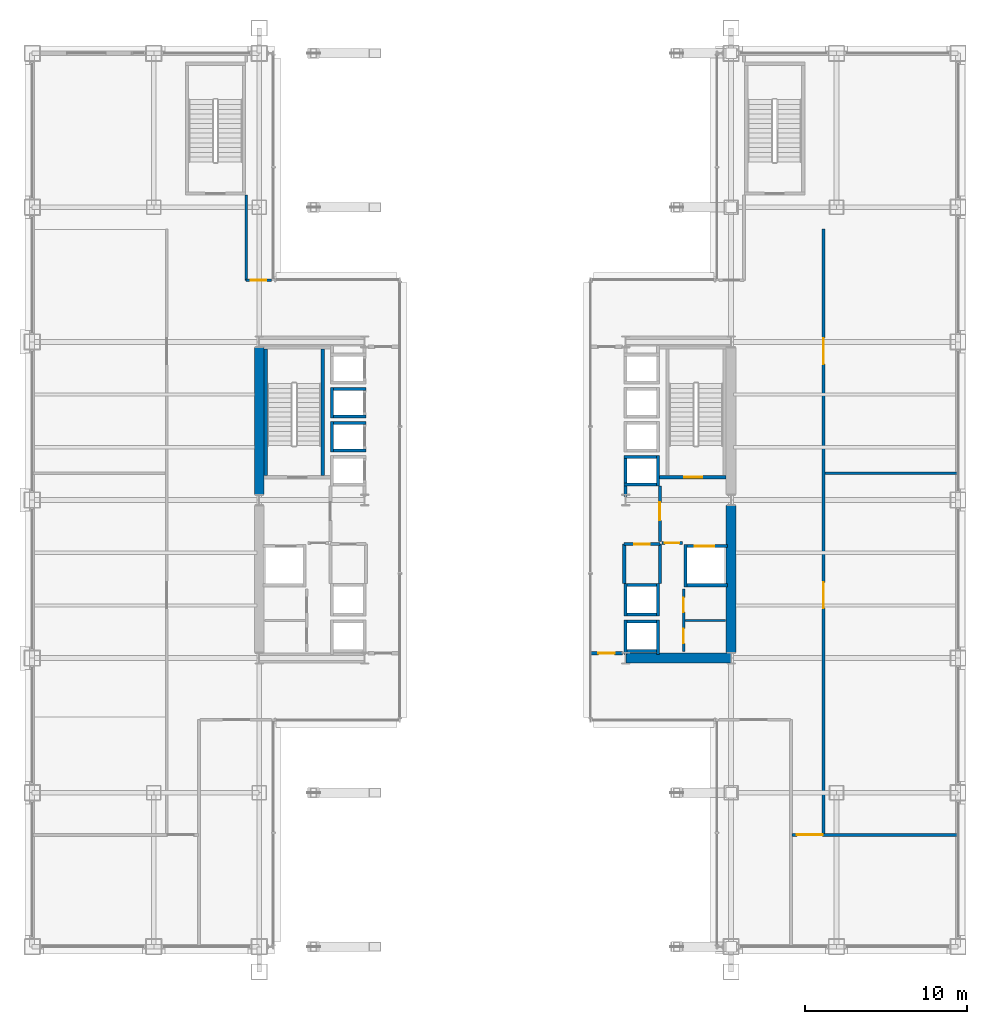
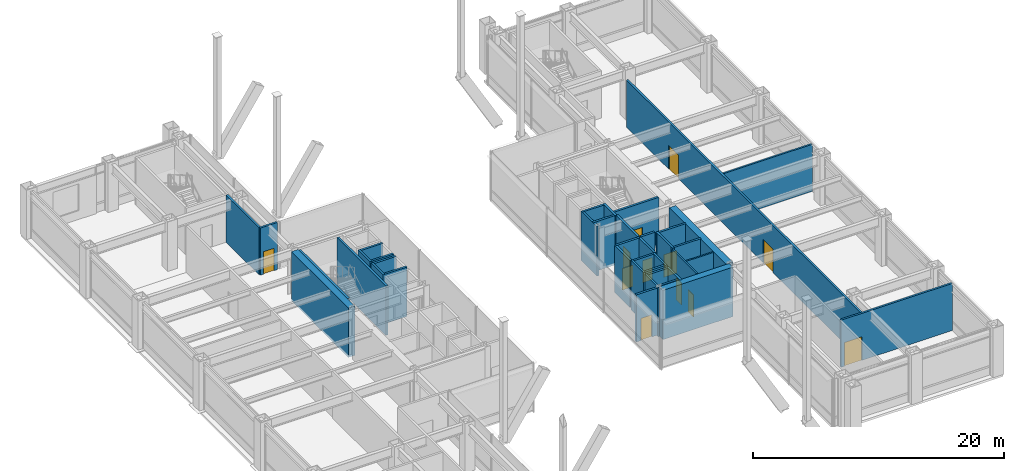
# One storey, part 36 of 40: 40 walls, 12 doors, 12 openings.
"""IFC4 building model written with IfcOpenShell, lengths in metres."""

from ifc_helpers import new_model, si_unit, direction, frame, frame_2d, origin, place, context, subcontext, project, spatial, rectangle, extrude, material, layer, layer_set, type_object, element, fill, save


model = new_model("IFC4")

# Units and contexts
model_context = context("Model", 3, precision=1e-05, world=origin(), true_north=direction((0.0, 1.0)))
body_context = subcontext(model_context, "Body", "Model", "MODEL_VIEW")
ifc_project = project(units=[si_unit("LENGTHUNIT", "METRE"), si_unit("AREAUNIT", "SQUARE_METRE"), si_unit("VOLUMEUNIT", "CUBIC_METRE"), si_unit("PLANEANGLEUNIT", "RADIAN"), si_unit("MASSUNIT", "GRAM", prefix="KILO")], contexts=[model_context])

# Site, building, storey
site_placement = place(None, origin())
site = spatial("IfcSite", under=ifc_project, at=site_placement, CompositionType="ELEMENT")
building_placement = place(site_placement, origin())
building = spatial("IfcBuilding", under=site, at=building_placement, Name="Brelmoor Portico Tower", CompositionType="ELEMENT")
storey_placement = place(building_placement, frame((0.0, 0.0, 4.800048828125)))
storey = spatial("IfcBuildingStorey", under=building, at=storey_placement, Name="L01", CompositionType="ELEMENT", Elevation=4.800048828125)

# Walls
ifc_material_1 = material(Name="Concrete C60", Category="concrete")
ifc_layer_1 = layer(ifc_material_1, 0.60009765625)
ifc_layer_set_1 = layer_set([ifc_layer_1], Name="Concrete C60")
wall_type_1 = type_object("IfcWallType", Name="WL-CORE-600", PredefinedType="SHEAR", material=ifc_layer_set_1)
wall_1_placement = place(storey_placement, frame((-14.550048828125, 0.35009765625, -0.219970703125), z_axis=(0.0, 0.0, 1.0), x_axis=(0.0, 1.0, 0.0)))
element("IfcWall", 1, at=wall_1_placement, inside=storey, type_object=wall_type_1, Name="L01 WC Outer North Shear Wall", PredefinedType="SHEAR", context=body_context, shape_type="SweptSolid", body=[
    extrude(rectangle(XDim=9.0498046875, YDim=0.60009765625, at=frame_2d((4.52490234375, 0.0))), origin(), (0.0, 0.0, 1.0), 4.7998046875),
])
wall_2_placement = place(storey_placement, frame((8.070068359375, -9.75, -0.219970703125), z_axis=(0.0, 0.0, 1.0), x_axis=(1.0, 0.0, 0.0)))
element("IfcWall", 2, at=wall_2_placement, inside=storey, type_object=wall_type_1, Name="L01 EC South Shear Wall", PredefinedType="SHEAR", context=body_context, shape_type="SweptSolid", body=[
    extrude(rectangle(XDim=6.4599609375, YDim=0.60009765625, at=frame_2d((3.22998046875, 0.0))), origin(), (0.0, 0.0, 1.0), 4.7998046875),
])
wall_3_placement = place(storey_placement, frame((14.550048828125, -9.39990234375, -0.219970703125), z_axis=(0.0, 0.0, 1.0), x_axis=(0.0, 1.0, 0.0)))
element("IfcWall", 3, at=wall_3_placement, inside=storey, type_object=wall_type_1, Name="L01 EC Outer South Shear Wall", PredefinedType="SHEAR", context=body_context, shape_type="SweptSolid", body=[
    extrude(rectangle(XDim=9.0498046875, YDim=0.60009765625, at=frame_2d((4.52490234375, 0.0))), origin(), (0.0, 0.0, 1.0), 4.7998046875),
])
ifc_material_2 = material(Name="Insulated Stud Suite Partition", Category="gypsum")
ifc_layer_2 = layer(ifc_material_2, 0.139892578125)
ifc_layer_set_2 = layer_set([ifc_layer_2], Name="Insulated Stud Suite Partition")
wall_type_2 = type_object("IfcWallType", Name="WL-PART-140", PredefinedType="PARTITIONING", material=ifc_layer_set_2)
wall_4_placement = place(storey_placement, frame((11.699951171875, -7.425048828125, 0.0), z_axis=(0.0, 0.0, 1.0), x_axis=(1.0, 0.0, 0.0)))
element("IfcWall", 4, at=wall_4_placement, inside=storey, type_object=wall_type_2, Name="L01 E Core WC Divider 1", PredefinedType="PARTITIONING", context=body_context, shape_type="SweptSolid", body=[
    extrude(rectangle(XDim=2.5, YDim=0.139892578125, at=frame_2d((1.25, 0.0))), origin(), (0.0, 0.0, 1.0), 4.579833984375),
])

# Wall, openings, doors
ifc_material_3 = material(Name="Twin-Frame Acoustic Partition", Category="gypsum")
ifc_layer_3 = layer(ifc_material_3, 0.159912109375)
ifc_layer_set_3 = layer_set([ifc_layer_3], Name="Twin-Frame Acoustic Partition")
wall_type_3 = type_object("IfcWallType", Name="WL-PART-160", PredefinedType="PARTITIONING", material=ifc_layer_set_3)
wall_5_placement = place(storey_placement, frame((11.6201171875, -9.35009765625, 0.0), z_axis=(0.0, 0.0, 1.0), x_axis=(0.0, 1.0, 0.0)))
wall_5 = element("IfcWall", 5, at=wall_5_placement, inside=storey, type_object=wall_type_3, Name="L01 E Core Service Front Wall", PredefinedType="PARTITIONING", context=body_context, shape_type="SweptSolid", body=[
    extrude(rectangle(XDim=3.85009765625, YDim=0.159912109375, at=frame_2d((1.925048828125, 0.0))), origin(), (0.0, 0.0, 1.0), 4.579833984375),
])
opening_1_placement = place(wall_5_placement, frame((0.512451171875, 0.0, 0.0)))
opening_1 = element("IfcOpeningElement", 6, at=opening_1_placement, cuts=wall_5, Name="Opening D-IN1", PredefinedType="OPENING", context=body_context, shape_type="SweptSolid", body=[
    extrude(rectangle(XDim=0.89990234375, YDim=2.14990234375, at=frame_2d((0.449951171875, 1.074951171875))), frame((0.0, 0.08984375, 0.0), z_axis=(0.0, -1.0, 0.0), x_axis=(1.0, 0.0, 0.0)), (0.0, 0.0, 1.0), 0.179931640625),
])
opening_2_placement = place(wall_5_placement, frame((2.4375, 0.0, 0.0)))
opening_2 = element("IfcOpeningElement", 7, at=opening_2_placement, cuts=wall_5, Name="Opening D-IN1", PredefinedType="OPENING", context=body_context, shape_type="SweptSolid", body=[
    extrude(rectangle(XDim=0.89990234375, YDim=2.14990234375, at=frame_2d((0.449951171875, 1.074951171875))), frame((0.0, 0.08984375, 0.0), z_axis=(0.0, -1.0, 0.0), x_axis=(1.0, 0.0, 0.0)), (0.0, 0.0, 1.0), 0.179931640625),
])
ifc_material_4 = material(Name="Lacquered Timber Suite Door", Category="wood")
door_type_1 = type_object("IfcDoorType", Name="DR-INT-900", OperationType="NOTDEFINED", PredefinedType="DOOR", material=ifc_material_4)
door_1_placement = place(opening_1_placement, origin())
door_1 = element("IfcDoor", 8, at=door_1_placement, inside=storey, type_object=door_type_1, Name="D-0096 L01 E Male WC Door", OperationType="SINGLE_SWING_LEFT", OverallHeight=2.14990234375, OverallWidth=0.89990234375, PredefinedType="DOOR", context=body_context, shape_type="SweptSolid", body=[
    extrude(rectangle(XDim=0.89990234375, YDim=2.14990234375, at=frame_2d((0.449951171875, 1.074951171875))), frame((0.0, 0.02490234375, 0.0), z_axis=(0.0, -1.0, 0.0), x_axis=(1.0, 0.0, 0.0)), (0.0, 0.0, 1.0), 0.050048828125),
])
fill(opening_1, door_1)
door_2_placement = place(opening_2_placement, origin())
door_2 = element("IfcDoor", 9, at=door_2_placement, inside=storey, type_object=door_type_1, Name="D-0097 L01 E Female WC Door", OperationType="SINGLE_SWING_RIGHT", OverallHeight=2.14990234375, OverallWidth=0.89990234375, PredefinedType="DOOR", context=body_context, shape_type="SweptSolid", body=[
    extrude(rectangle(XDim=0.89990234375, YDim=2.14990234375, at=frame_2d((0.449951171875, 1.074951171875))), frame((0.0, 0.02490234375, 0.0), z_axis=(0.0, -1.0, 0.0), x_axis=(1.0, 0.0, 0.0)), (0.0, 0.0, 1.0), 0.050048828125),
])
fill(opening_2, door_2)

# Wall
wall_6_placement = place(storey_placement, frame((20.35009765625, 1.64990234375, 0.0), z_axis=(0.0, 0.0, 1.0), x_axis=(1.0, 0.0, 0.0)))
element("IfcWall", 10, at=wall_6_placement, inside=storey, type_object=wall_type_3, Name="L01 E Wing Divider 1", PredefinedType="PARTITIONING", context=body_context, shape_type="SweptSolid", body=[
    extrude(rectangle(XDim=8.169921875, YDim=0.159912109375, at=frame_2d((4.0849609375, 0.0))), origin(), (0.0, 0.0, 1.0), 4.579833984375),
])

# Wall, opening, door
ifc_material_5 = material(Name="Acoustic Corridor Fire Partition", Category="gypsum")
ifc_layer_4 = layer(ifc_material_5, 0.179931640625)
ifc_layer_set_4 = layer_set([ifc_layer_4], Name="Acoustic Corridor Fire Partition")
wall_type_4 = type_object("IfcWallType", Name="WL-PART-180", PredefinedType="PARTITIONING", material=ifc_layer_set_4)
wall_7_placement = place(storey_placement, frame((-13.800048828125, 13.550048828125, 0.0), z_axis=(0.0, 0.0, 1.0), x_axis=(-1.0, 0.0, 0.0)))
wall_7 = element("IfcWall", 11, at=wall_7_placement, inside=storey, type_object=wall_type_4, Name="L01 W North Reception Wall", PredefinedType="PARTITIONING", context=body_context, shape_type="SweptSolid", body=[
    extrude(rectangle(XDim=1.550048828125, YDim=0.179931640625, at=frame_2d((0.77490234375, 0.0))), origin(), (0.0, 0.0, 1.0), 4.579833984375),
])
opening_3_placement = place(wall_7_placement, frame((0.300048828125, 0.0, 0.0)))
opening_3 = element("IfcOpeningElement", 12, at=opening_3_placement, cuts=wall_7, Name="Opening D-IN2", PredefinedType="OPENING", context=body_context, shape_type="SweptSolid", body=[
    extrude(rectangle(XDim=0.9599609375, YDim=2.179931640625, at=frame_2d((0.47998046875, 1.08984375))), frame((0.0, 0.099853515625, 0.0), z_axis=(0.0, -1.0, 0.0), x_axis=(1.0, 0.0, 0.0)), (0.0, 0.0, 1.0), 0.199951171875),
])
door_type_2 = type_object("IfcDoorType", Name="DR-INT-950", OperationType="NOTDEFINED", PredefinedType="DOOR", material=ifc_material_4)
door_3_placement = place(opening_3_placement, origin())
door_3 = element("IfcDoor", 13, at=door_3_placement, inside=storey, type_object=door_type_2, Name="D-0111 L01 W North Reception Foyer Door", OperationType="SINGLE_SWING_LEFT", OverallHeight=2.179931640625, OverallWidth=0.9599609375, PredefinedType="DOOR", context=body_context, shape_type="SweptSolid", body=[
    extrude(rectangle(XDim=0.9599609375, YDim=2.179931640625, at=frame_2d((0.47998046875, 1.08984375))), frame((0.0, 0.02490234375, 0.0), z_axis=(0.0, -1.0, 0.0), x_axis=(1.0, 0.0, 0.0)), (0.0, 0.0, 1.0), 0.050048828125),
])
fill(opening_3, door_3)

# Wall
wall_8_placement = place(storey_placement, frame((-15.35009765625, 13.550048828125, 0.0), z_axis=(0.0, 0.0, 1.0), x_axis=(0.0, 1.0, 0.0)))
element("IfcWall", 14, at=wall_8_placement, inside=storey, type_object=wall_type_4, Name="L01 W North Reception Outer Wall", PredefinedType="PARTITIONING", context=body_context, shape_type="SweptSolid", body=[
    extrude(rectangle(XDim=5.25, YDim=0.179931640625, at=frame_2d((2.625, 0.0))), origin(), (0.0, 0.0, 1.0), 4.579833984375),
])

# Wall, openings, doors
wall_9_placement = place(storey_placement, frame((20.25, -20.60009765625, 0.0), z_axis=(0.0, 0.0, 1.0), x_axis=(0.0, 1.0, 0.0)))
wall_9 = element("IfcWall", 15, at=wall_9_placement, inside=storey, type_object=wall_type_4, Name="L01 E Wing Concourse Wall", PredefinedType="PARTITIONING", context=body_context, shape_type="SweptSolid", body=[
    extrude(rectangle(XDim=37.300048828125, YDim=0.179931640625, at=frame_2d((18.64990234375, 0.0))), origin(), (0.0, 0.0, 1.0), 4.579833984375),
])
opening_4_placement = place(wall_9_placement, frame((13.925048828125, 0.0, 0.0)))
opening_4 = element("IfcOpeningElement", 16, at=opening_4_placement, cuts=wall_9, Name="Opening D-PB1", PredefinedType="OPENING", context=body_context, shape_type="SweptSolid", body=[
    extrude(rectangle(XDim=1.60009765625, YDim=2.300048828125, at=frame_2d((0.800048828125, 1.14990234375))), frame((0.0, 0.099853515625, 0.0), z_axis=(0.0, -1.0, 0.0), x_axis=(1.0, 0.0, 0.0)), (0.0, 0.0, 1.0), 0.199951171875),
])
opening_5_placement = place(wall_9_placement, frame((28.97509765625, 0.0, 0.0)))
opening_5 = element("IfcOpeningElement", 17, at=opening_5_placement, cuts=wall_9, Name="Opening D-PB1", PredefinedType="OPENING", context=body_context, shape_type="SweptSolid", body=[
    extrude(rectangle(XDim=1.60009765625, YDim=2.300048828125, at=frame_2d((0.800048828125, 1.14990234375))), frame((0.0, 0.099853515625, 0.0), z_axis=(0.0, -1.0, 0.0), x_axis=(1.0, 0.0, 0.0)), (0.0, 0.0, 1.0), 0.199951171875),
])
ifc_material_6 = material(Name="Double-Leaf Anodised Aluminium Hall Door", Category="aluminium")
door_type_3 = type_object("IfcDoorType", Name="DR-PUBLIC-1600", OperationType="NOTDEFINED", PredefinedType="DOOR", material=ifc_material_6)
door_4_placement = place(opening_4_placement, origin())
door_4 = element("IfcDoor", 18, at=door_4_placement, inside=storey, type_object=door_type_3, Name="D-0116 L01 E Portico Design Studio Door", OperationType="DOUBLE_DOOR_SINGLE_SWING", OverallHeight=2.300048828125, OverallWidth=1.60009765625, PredefinedType="DOOR", context=body_context, shape_type="SweptSolid", body=[
    extrude(rectangle(XDim=1.60009765625, YDim=2.300048828125, at=frame_2d((0.800048828125, 1.14990234375))), frame((0.0, 0.02490234375, 0.0), z_axis=(0.0, -1.0, 0.0), x_axis=(1.0, 0.0, 0.0)), (0.0, 0.0, 1.0), 0.050048828125),
])
fill(opening_4, door_4)
door_5_placement = place(opening_5_placement, origin())
door_5 = element("IfcDoor", 19, at=door_5_placement, inside=storey, type_object=door_type_3, Name="D-0117 L01 E Artisan Cafe and Bakery Door", OperationType="DOUBLE_DOOR_SINGLE_SWING", OverallHeight=2.300048828125, OverallWidth=1.60009765625, PredefinedType="DOOR", context=body_context, shape_type="SweptSolid", body=[
    extrude(rectangle(XDim=1.60009765625, YDim=2.300048828125, at=frame_2d((0.800048828125, 1.14990234375))), frame((0.0, 0.02490234375, 0.0), z_axis=(0.0, -1.0, 0.0), x_axis=(1.0, 0.0, 0.0)), (0.0, 0.0, 1.0), 0.050048828125),
])
fill(opening_5, door_5)

# Wall, opening, door
wall_10_placement = place(storey_placement, frame((18.300048828125, -20.64990234375, 0.0), z_axis=(0.0, 0.0, 1.0), x_axis=(1.0, 0.0, 0.0)))
wall_10 = element("IfcWall", 20, at=wall_10_placement, inside=storey, type_object=wall_type_4, Name="L01 E South Corner Concourse Wall", PredefinedType="PARTITIONING", context=body_context, shape_type="SweptSolid", body=[
    extrude(rectangle(XDim=10.219970703125, YDim=0.179931640625, at=frame_2d((5.10986328125, 0.0))), origin(), (0.0, 0.0, 1.0), 4.579833984375),
])
opening_6_placement = place(wall_10_placement, frame((0.300048828125, 0.0, 0.0)))
opening_6 = element("IfcOpeningElement", 21, at=opening_6_placement, cuts=wall_10, Name="Opening D-PB1", PredefinedType="OPENING", context=body_context, shape_type="SweptSolid", body=[
    extrude(rectangle(XDim=1.60009765625, YDim=2.300048828125, at=frame_2d((0.800048828125, 1.14990234375))), frame((0.0, 0.099853515625, 0.0), z_axis=(0.0, -1.0, 0.0), x_axis=(1.0, 0.0, 0.0)), (0.0, 0.0, 1.0), 0.199951171875),
])
door_6_placement = place(opening_6_placement, origin())
door_6 = element("IfcDoor", 22, at=door_6_placement, inside=storey, type_object=door_type_3, Name="D-0114 L01 E South Corner Retail Door", OperationType="DOUBLE_DOOR_SINGLE_SWING", OverallHeight=2.300048828125, OverallWidth=1.60009765625, PredefinedType="DOOR", context=body_context, shape_type="SweptSolid", body=[
    extrude(rectangle(XDim=1.60009765625, YDim=2.300048828125, at=frame_2d((0.800048828125, 1.14990234375))), frame((0.0, 0.02490234375, 0.0), z_axis=(0.0, -1.0, 0.0), x_axis=(1.0, 0.0, 0.0)), (0.0, 0.0, 1.0), 0.050048828125),
])
fill(opening_6, door_6)

ifc_material_7 = material(Name="Double-Stud Gypsum Fire Partition", Category="gypsum")
ifc_layer_5 = layer(ifc_material_7, 0.199951171875)
ifc_layer_set_5 = layer_set([ifc_layer_5], Name="Double-Stud Gypsum Fire Partition")
wall_type_5 = type_object("IfcWallType", Name="WL-PART-200", PredefinedType="PARTITIONING", material=ifc_layer_set_5)
wall_11_placement = place(storey_placement, frame((10.159912109375, -2.550048828125, 0.0), z_axis=(0.0, 0.0, 1.0), x_axis=(0.0, 1.0, 0.0)))
wall_11 = element("IfcWall", 23, at=wall_11_placement, inside=storey, type_object=wall_type_5, Name="L01 E Firefighting Lobby Wall", PredefinedType="PARTITIONING", context=body_context, shape_type="SweptSolid", body=[
    extrude(rectangle(XDim=3.400146484375, YDim=0.199951171875, at=frame_2d((1.7001953125, 0.0))), origin(), (0.0, 0.0, 1.0), 4.579833984375),
])
opening_7_placement = place(wall_11_placement, frame((1.300048828125, 0.0, 0.0)))
opening_7 = element("IfcOpeningElement", 24, at=opening_7_placement, cuts=wall_11, Name="Opening D-FR1", PredefinedType="OPENING", context=body_context, shape_type="SweptSolid", body=[
    extrude(rectangle(XDim=1.10009765625, YDim=2.14990234375, at=frame_2d((0.550048828125, 1.074951171875))), frame((0.0, 0.10986328125, 0.0), z_axis=(0.0, -1.0, 0.0), x_axis=(1.0, 0.0, 0.0)), (0.0, 0.0, 1.0), 0.219970703125),
])
ifc_material_8 = material(Name="Painted Galvanised Steel Fire Door", Category="steel")
door_type_4 = type_object("IfcDoorType", Name="DR-FIRE-1100", OperationType="NOTDEFINED", PredefinedType="DOOR", material=ifc_material_8)
door_7_placement = place(opening_7_placement, origin())
door_7 = element("IfcDoor", 25, at=door_7_placement, inside=storey, type_object=door_type_4, Name="D-0104 L01 E Firefighting Lobby Door", OperationType="SINGLE_SWING_RIGHT", OverallHeight=2.14990234375, OverallWidth=1.10009765625, PredefinedType="DOOR", context=body_context, shape_type="SweptSolid", body=[
    extrude(rectangle(XDim=1.10009765625, YDim=2.14990234375, at=frame_2d((0.550048828125, 1.074951171875))), frame((0.0, 0.02490234375, 0.0), z_axis=(0.0, -1.0, 0.0), x_axis=(1.0, 0.0, 0.0)), (0.0, 0.0, 1.0), 0.050048828125),
])
fill(opening_7, door_7)

wall_12_placement = place(storey_placement, frame((10.280029296875, -2.64990234375, 0.0), z_axis=(0.0, 0.0, 1.0), x_axis=(1.0, 0.0, 0.0)))
wall_12 = element("IfcWall", 26, at=wall_12_placement, inside=storey, type_object=wall_type_5, Name="L01 E Firefighting Lobby South Wall", PredefinedType="PARTITIONING", context=body_context, shape_type="SweptSolid", body=[
    extrude(rectangle(XDim=1.27001953125, YDim=0.199951171875, at=frame_2d((0.635009765625, 0.0))), origin(), (0.0, 0.0, 1.0), 4.579833984375),
])
opening_8_placement = place(wall_12_placement, frame((0.18505859375, 0.0, 0.0)))
opening_8 = element("IfcOpeningElement", 27, at=opening_8_placement, cuts=wall_12, Name="Opening D-IN1", PredefinedType="OPENING", context=body_context, shape_type="SweptSolid", body=[
    extrude(rectangle(XDim=0.89990234375, YDim=2.14990234375, at=frame_2d((0.449951171875, 1.074951171875))), frame((0.0, 0.10986328125, 0.0), z_axis=(0.0, -1.0, 0.0), x_axis=(1.0, 0.0, 0.0)), (0.0, 0.0, 1.0), 0.219970703125),
])
door_8_placement = place(opening_8_placement, origin())
door_8 = element("IfcDoor", 28, at=door_8_placement, inside=storey, type_object=door_type_1, Name="D-0098 L01 E Core Service Vestibule Door", OperationType="SINGLE_SWING_LEFT", OverallHeight=2.14990234375, OverallWidth=0.89990234375, PredefinedType="DOOR", context=body_context, shape_type="SweptSolid", body=[
    extrude(rectangle(XDim=0.89990234375, YDim=2.14990234375, at=frame_2d((0.449951171875, 1.074951171875))), frame((0.0, 0.02490234375, 0.0), z_axis=(0.0, -1.0, 0.0), x_axis=(1.0, 0.0, 0.0)), (0.0, 0.0, 1.0), 0.050048828125),
])
fill(opening_8, door_8)

wall_13_placement = place(storey_placement, frame((7.9599609375, -2.719970703125, 0.0), z_axis=(0.0, 0.0, 1.0), x_axis=(1.0, 0.0, 0.0)))
wall_13 = element("IfcWall", 29, at=wall_13_placement, inside=storey, type_object=wall_type_5, Name="L01 E Electrical Switchgear Closet Wall", PredefinedType="PARTITIONING", context=body_context, shape_type="SweptSolid", body=[
    extrude(rectangle(XDim=2.199951171875, YDim=0.199951171875, at=frame_2d((1.10009765625, 0.0))), origin(), (0.0, 0.0, 1.0), 4.579833984375),
])
opening_9_placement = place(wall_13_placement, frame((0.6201171875, 0.0, 0.0)))
opening_9 = element("IfcOpeningElement", 30, at=opening_9_placement, cuts=wall_13, Name="Opening D-FR4", PredefinedType="OPENING", context=body_context, shape_type="SweptSolid", body=[
    extrude(rectangle(XDim=0.949951171875, YDim=2.10009765625, at=frame_2d((0.47509765625, 1.050048828125))), frame((0.0, 0.10986328125, 0.0), z_axis=(0.0, -1.0, 0.0), x_axis=(1.0, 0.0, 0.0)), (0.0, 0.0, 1.0), 0.219970703125),
])
ifc_material_9 = material(Name="Painted Galvanised Steel Riser Door", Category="steel")
door_type_5 = type_object("IfcDoorType", Name="DR-FIRE-950", OperationType="NOTDEFINED", PredefinedType="DOOR", material=ifc_material_9)
door_9_placement = place(opening_9_placement, origin())
door_9 = element("IfcDoor", 31, at=door_9_placement, inside=storey, type_object=door_type_5, Name="D-0102 L01 E Electrical Switchgear Closet Door", OperationType="SINGLE_SWING_RIGHT", OverallHeight=2.10009765625, OverallWidth=0.949951171875, PredefinedType="DOOR", context=body_context, shape_type="SweptSolid", body=[
    extrude(rectangle(XDim=0.949951171875, YDim=2.10009765625, at=frame_2d((0.47509765625, 1.050048828125))), frame((0.0, 0.02490234375, 0.0), z_axis=(0.0, -1.0, 0.0), x_axis=(1.0, 0.0, 0.0)), (0.0, 0.0, 1.0), 0.050048828125),
])
fill(opening_9, door_9)

# Walls
for number, where, z_axis, x_axis, name in (
    (32, (7.9599609375, -5.159912109375, 0.0), (0.0, 0.0, 1.0), (0.0, 1.0, 0.0), "L01 E Electrical Switchgear Closet Inner Wall"),
    (33, (10.159912109375, -5.159912109375, 0.0), (0.0, 0.0, 1.0), (0.0, 1.0, 0.0), "L01 E Electrical Switchgear Closet Outer Wall"),
):
    element("IfcWall", number, at=place(storey_placement, frame(where, z_axis=z_axis, x_axis=x_axis)), inside=storey, type_object=wall_type_5, Name=name, PredefinedType="PARTITIONING", context=body_context, shape_type="SweptSolid", body=[
        extrude(rectangle(XDim=2.43994140625, YDim=0.199951171875, at=frame_2d((1.219970703125, 0.0))), origin(), (0.0, 0.0, 1.0), 4.579833984375),
    ])

# Wall, opening, door
wall_14_placement = place(storey_placement, frame((5.919921875, -9.449951171875, 0.0), z_axis=(0.0, 0.0, 1.0), x_axis=(1.0, 0.0, 0.0)))
wall_14 = element("IfcWall", 34, at=wall_14_placement, inside=storey, type_object=wall_type_5, Name="L01 E Pier Lift Lobby South Wall", PredefinedType="PARTITIONING", context=body_context, shape_type="SweptSolid", body=[
    extrude(rectangle(XDim=1.93017578125, YDim=0.199951171875, at=frame_2d((0.965087890625, 0.0))), origin(), (0.0, 0.0, 1.0), 4.579833984375),
])
opening_10_placement = place(wall_14_placement, frame((0.449951171875, 0.0, 0.0)))
opening_10 = element("IfcOpeningElement", 35, at=opening_10_placement, cuts=wall_14, Name="Opening D-FR2", PredefinedType="OPENING", context=body_context, shape_type="SweptSolid", body=[
    extrude(rectangle(XDim=1.0, YDim=2.14990234375, at=frame_2d((0.5, 1.074951171875))), frame((0.0, 0.10986328125, 0.0), z_axis=(0.0, -1.0, 0.0), x_axis=(1.0, 0.0, 0.0)), (0.0, 0.0, 1.0), 0.219970703125),
])
door_type_6 = type_object("IfcDoorType", Name="DR-FIRE-1000", OperationType="NOTDEFINED", PredefinedType="DOOR", material=ifc_material_8)
door_10_placement = place(opening_10_placement, origin())
door_10 = element("IfcDoor", 36, at=door_10_placement, inside=storey, type_object=door_type_6, Name="D-0108 L01 E Pier Lift Lobby South Door", OperationType="SINGLE_SWING_LEFT", OverallHeight=2.14990234375, OverallWidth=1.0, PredefinedType="DOOR", context=body_context, shape_type="SweptSolid", body=[
    extrude(rectangle(XDim=1.0, YDim=2.14990234375, at=frame_2d((0.5, 1.074951171875))), frame((0.0, 0.02490234375, 0.0), z_axis=(0.0, -1.0, 0.0), x_axis=(1.0, 0.0, 0.0)), (0.0, 0.0, 1.0), 0.050048828125),
])
fill(opening_10, door_10)

# Walls
ifc_material_10 = material(Name="Precast Concrete C40", Category="concrete")
ifc_layer_6 = layer(ifc_material_10, 0.18994140625)
ifc_layer_set_6 = layer_set([ifc_layer_6], Name="Precast Concrete C40")
wall_type_6 = type_object("IfcWallType", Name="WL-SHAFT-180", PredefinedType="SOLIDWALL", material=ifc_layer_set_6)
wall_15_placement = place(storey_placement, frame((-10.054931640625, 2.949951171875, -0.219970703125), z_axis=(0.0, 0.0, 1.0), x_axis=(0.0, 1.0, 0.0)))
element("IfcWall", 37, at=wall_15_placement, inside=storey, type_object=wall_type_6, Name="L01 Lift PL2 Hoistway Back Wall", PredefinedType="SOLIDWALL", context=body_context, shape_type="SweptSolid", body=[
    extrude(rectangle(XDim=1.900146484375, YDim=0.18994140625, at=frame_2d((0.9501953125, 0.0))), origin(), (0.0, 0.0, 1.0), 4.7998046875),
])
for number, where, z_axis, x_axis, name in (
    (38, (-10.14990234375, 4.7548828125, -0.219970703125), (0.0, 0.0, 1.0), (1.0, 0.0, 0.0), "L01 Lift PL2 Hoistway North Wall"),
    (39, (-10.14990234375, 3.044921875, -0.219970703125), (0.0, 0.0, 1.0), (1.0, 0.0, 0.0), "L01 Lift PL2 Hoistway South Wall"),
):
    element("IfcWall", number, at=place(storey_placement, frame(where, z_axis=z_axis, x_axis=x_axis)), inside=storey, type_object=wall_type_6, Name=name, PredefinedType="SOLIDWALL", context=body_context, shape_type="SweptSolid", body=[
        extrude(rectangle(XDim=2.199951171875, YDim=0.18994140625, at=frame_2d((1.10009765625, 0.0))), origin(), (0.0, 0.0, 1.0), 4.7998046875),
    ])
wall_16_placement = place(storey_placement, frame((-10.054931640625, 5.050048828125, -0.219970703125), z_axis=(0.0, 0.0, 1.0), x_axis=(0.0, 1.0, 0.0)))
element("IfcWall", 40, at=wall_16_placement, inside=storey, type_object=wall_type_6, Name="L01 Lift PL3 Hoistway Back Wall", PredefinedType="SOLIDWALL", context=body_context, shape_type="SweptSolid", body=[
    extrude(rectangle(XDim=1.89990234375, YDim=0.18994140625, at=frame_2d((0.949951171875, 0.0))), origin(), (0.0, 0.0, 1.0), 4.7998046875),
])
for number, where, z_axis, x_axis, name in (
    (41, (-10.14990234375, 6.85498046875, -0.219970703125), (0.0, 0.0, 1.0), (1.0, 0.0, 0.0), "L01 Lift PL3 Hoistway North Wall"),
    (42, (-10.14990234375, 5.14501953125, -0.219970703125), (0.0, 0.0, 1.0), (1.0, 0.0, 0.0), "L01 Lift PL3 Hoistway South Wall"),
):
    element("IfcWall", number, at=place(storey_placement, frame(where, z_axis=z_axis, x_axis=x_axis)), inside=storey, type_object=wall_type_6, Name=name, PredefinedType="SOLIDWALL", context=body_context, shape_type="SweptSolid", body=[
        extrude(rectangle(XDim=2.199951171875, YDim=0.18994140625, at=frame_2d((1.10009765625, 0.0))), origin(), (0.0, 0.0, 1.0), 4.7998046875),
    ])
wall_17_placement = place(storey_placement, frame((8.044921875, 0.2099609375, -0.219970703125), z_axis=(0.0, 0.0, 1.0), x_axis=(0.0, 1.0, 0.0)))
element("IfcWall", 43, at=wall_17_placement, inside=storey, type_object=wall_type_6, Name="L01 Lift PM1 Hoistway Front Wall", PredefinedType="SOLIDWALL", context=body_context, shape_type="SweptSolid", body=[
    extrude(rectangle(XDim=2.5400390625, YDim=0.18994140625, at=frame_2d((1.27001953125, 0.0))), origin(), (0.0, 0.0, 1.0), 4.7998046875),
])
wall_18_placement = place(storey_placement, frame((10.054931640625, 0.85009765625, -0.219970703125), z_axis=(0.0, 0.0, 1.0), x_axis=(0.0, 1.0, 0.0)))
element("IfcWall", 44, at=wall_18_placement, inside=storey, type_object=wall_type_6, Name="L01 Lift PM1 Hoistway Back Wall", PredefinedType="SOLIDWALL", context=body_context, shape_type="SweptSolid", body=[
    extrude(rectangle(XDim=1.89990234375, YDim=0.18994140625, at=frame_2d((0.949951171875, 0.0))), origin(), (0.0, 0.0, 1.0), 4.7998046875),
])
for number, where, z_axis, x_axis, name in (
    (45, (7.949951171875, 2.655029296875, -0.219970703125), (0.0, 0.0, 1.0), (1.0, 0.0, 0.0), "L01 Lift PM1 Hoistway North Wall"),
    (46, (7.949951171875, 0.945068359375, -0.219970703125), (0.0, 0.0, 1.0), (1.0, 0.0, 0.0), "L01 Lift PM1 Hoistway South Wall"),
):
    element("IfcWall", number, at=place(storey_placement, frame(where, z_axis=z_axis, x_axis=x_axis)), inside=storey, type_object=wall_type_6, Name=name, PredefinedType="SOLIDWALL", context=body_context, shape_type="SweptSolid", body=[
        extrude(rectangle(XDim=2.199951171875, YDim=0.18994140625, at=frame_2d((1.10009765625, 0.0))), origin(), (0.0, 0.0, 1.0), 4.7998046875),
    ])
for number, where, z_axis, x_axis, name in (
    (47, (8.044921875, -9.52001953125, -0.219970703125), (0.0, 0.0, 1.0), (0.0, 1.0, 0.0), "L01 Lift PH3 Hoistway Front Wall"),
    (48, (10.054931640625, -9.52001953125, -0.219970703125), (0.0, 0.0, 1.0), (0.0, 1.0, 0.0), "L01 Lift PH3 Hoistway Back Wall"),
):
    element("IfcWall", number, at=place(storey_placement, frame(where, z_axis=z_axis, x_axis=x_axis)), inside=storey, type_object=wall_type_6, Name=name, PredefinedType="SOLIDWALL", context=body_context, shape_type="SweptSolid", body=[
        extrude(rectangle(XDim=2.1201171875, YDim=0.18994140625, at=frame_2d((1.06005859375, 0.0))), origin(), (0.0, 0.0, 1.0), 4.7998046875),
    ])
for number, where, z_axis, x_axis, name in (
    (49, (7.949951171875, -7.4951171875, -0.219970703125), (0.0, 0.0, 1.0), (1.0, 0.0, 0.0), "L01 Lift PH3 Hoistway North Wall"),
    (50, (7.949951171875, -9.304931640625, -0.219970703125), (0.0, 0.0, 1.0), (1.0, 0.0, 0.0), "L01 Lift PH3 Hoistway South Wall"),
):
    element("IfcWall", number, at=place(storey_placement, frame(where, z_axis=z_axis, x_axis=x_axis)), inside=storey, type_object=wall_type_6, Name=name, PredefinedType="SOLIDWALL", context=body_context, shape_type="SweptSolid", body=[
        extrude(rectangle(XDim=2.199951171875, YDim=0.18994140625, at=frame_2d((1.10009765625, 0.0))), origin(), (0.0, 0.0, 1.0), 4.7998046875),
    ])
for number, where, z_axis, x_axis, name in (
    (51, (8.044921875, -7.14990234375, -0.219970703125), (0.0, 0.0, 1.0), (0.0, 1.0, 0.0), "L01 Lift PH4 Hoistway Front Wall"),
    (52, (10.054931640625, -7.14990234375, -0.219970703125), (0.0, 0.0, 1.0), (0.0, 1.0, 0.0), "L01 Lift PH4 Hoistway Back Wall"),
):
    element("IfcWall", number, at=place(storey_placement, frame(where, z_axis=z_axis, x_axis=x_axis)), inside=storey, type_object=wall_type_6, Name=name, PredefinedType="SOLIDWALL", context=body_context, shape_type="SweptSolid", body=[
        extrude(rectangle(XDim=2.0, YDim=0.18994140625, at=frame_2d((1.0, 0.0))), origin(), (0.0, 0.0, 1.0), 4.7998046875),
    ])
for number, where, z_axis, x_axis, name in (
    (53, (7.949951171875, -5.2451171875, -0.219970703125), (0.0, 0.0, 1.0), (1.0, 0.0, 0.0), "L01 Lift PH4 Hoistway North Wall"),
    (54, (7.949951171875, -7.054931640625, -0.219970703125), (0.0, 0.0, 1.0), (1.0, 0.0, 0.0), "L01 Lift PH4 Hoistway South Wall"),
):
    element("IfcWall", number, at=place(storey_placement, frame(where, z_axis=z_axis, x_axis=x_axis)), inside=storey, type_object=wall_type_6, Name=name, PredefinedType="SOLIDWALL", context=body_context, shape_type="SweptSolid", body=[
        extrude(rectangle(XDim=2.199951171875, YDim=0.18994140625, at=frame_2d((1.10009765625, 0.0))), origin(), (0.0, 0.0, 1.0), 4.7998046875),
    ])

# Wall, opening, door
wall_19_placement = place(storey_placement, frame((11.64990234375, -2.844970703125, -0.219970703125), z_axis=(0.0, 0.0, 1.0), x_axis=(1.0, 0.0, 0.0)))
wall_19 = element("IfcWall", 55, at=wall_19_placement, inside=storey, type_object=wall_type_6, Name="L01 Lift FF2 Hoistway Front Wall", PredefinedType="SOLIDWALL", context=body_context, shape_type="SweptSolid", body=[
    extrude(rectangle(XDim=2.68017578125, YDim=0.18994140625, at=frame_2d((1.340087890625, 0.0))), origin(), (0.0, 0.0, 1.0), 4.7998046875),
])
opening_11_placement = place(wall_19_placement, frame((0.64990234375, 0.0, 0.219970703125)))
opening_11 = element("IfcOpeningElement", 56, at=opening_11_placement, cuts=wall_19, Name="Opening LD-02", PredefinedType="OPENING", context=body_context, shape_type="SweptSolid", body=[
    extrude(rectangle(XDim=1.199951171875, YDim=2.199951171875, at=frame_2d((0.60009765625, 1.10009765625))), frame((0.0, 0.10498046875, 0.0), z_axis=(0.0, -1.0, 0.0), x_axis=(1.0, 0.0, 0.0)), (0.0, 0.0, 1.0), 0.2099609375),
])
ifc_material_11 = material(Name="Brushed Stainless Steel Firefighting Lift Door", Category="steel")
door_type_7 = type_object("IfcDoorType", Name="DR-LIFT-1200", OperationType="NOTDEFINED", PredefinedType="DOOR", material=ifc_material_11)
door_11_placement = place(opening_11_placement, origin())
door_11 = element("IfcDoor", 57, at=door_11_placement, inside=storey, type_object=door_type_7, Name="D-0125 L01 Lift FF2 Sliding Landing Door", OperationType="SLIDING_TO_LEFT", OverallHeight=2.199951171875, OverallWidth=1.199951171875, PredefinedType="DOOR", context=body_context, shape_type="SweptSolid", body=[
    extrude(rectangle(XDim=1.199951171875, YDim=2.199951171875, at=frame_2d((0.60009765625, 1.10009765625))), frame((0.0, 0.02490234375, 0.0), z_axis=(0.0, -1.0, 0.0), x_axis=(1.0, 0.0, 0.0)), (0.0, 0.0, 1.0), 0.050048828125),
])
fill(opening_11, door_11)

# Walls
wall_20_placement = place(storey_placement, frame((11.64990234375, -5.2548828125, -0.219970703125), z_axis=(0.0, 0.0, 1.0), x_axis=(1.0, 0.0, 0.0)))
element("IfcWall", 58, at=wall_20_placement, inside=storey, type_object=wall_type_6, Name="L01 Firefighting Lift FF2 South Wall", PredefinedType="SOLIDWALL", context=body_context, shape_type="SweptSolid", body=[
    extrude(rectangle(XDim=2.68017578125, YDim=0.18994140625, at=frame_2d((1.340087890625, 0.0))), origin(), (0.0, 0.0, 1.0), 4.7998046875),
])
wall_21_placement = place(storey_placement, frame((11.7451171875, -5.35009765625, -0.219970703125), z_axis=(0.0, 0.0, 1.0), x_axis=(0.0, 1.0, 0.0)))
element("IfcWall", 59, at=wall_21_placement, inside=storey, type_object=wall_type_6, Name="L01 Firefighting Lift FF2 Inner Wall", PredefinedType="SOLIDWALL", context=body_context, shape_type="SweptSolid", body=[
    extrude(rectangle(XDim=2.60009765625, YDim=0.18994140625, at=frame_2d((1.300048828125, 0.0))), origin(), (0.0, 0.0, 1.0), 4.7998046875),
])
ifc_material_12 = material(Name="Concrete C40", Category="concrete")
ifc_layer_7 = layer(ifc_material_12, 0.199951171875)
ifc_layer_set_7 = layer_set([ifc_layer_7], Name="Concrete C40")
wall_type_7 = type_object("IfcWallType", Name="WL-SHAFT-RC200", PredefinedType="SOLIDWALL", material=ifc_layer_set_7)
for number, where, z_axis, x_axis, name in (
    (60, (-14.14990234375, 1.5, -0.219970703125), (0.0, 0.0, 1.0), (0.0, 1.0, 0.0), "L01 ST-W Structural Stair Wall Outer"),
    (61, (-10.6298828125, 1.5, -0.219970703125), (0.0, 0.0, 1.0), (0.0, 1.0, 0.0), "L01 ST-W Structural Stair Wall Inner"),
):
    element("IfcWall", number, at=place(storey_placement, frame(where, z_axis=z_axis, x_axis=x_axis)), inside=storey, type_object=wall_type_7, Name=name, PredefinedType="SOLIDWALL", context=body_context, shape_type="SweptSolid", body=[
        extrude(rectangle(XDim=7.800048828125, YDim=0.199951171875, at=frame_2d((3.89990234375, 0.0))), origin(), (0.0, 0.0, 1.0), 4.7998046875),
    ])

# Wall, opening, door
wall_22_placement = place(storey_placement, frame((10.14990234375, 1.39990234375, -0.219970703125), z_axis=(0.0, 0.0, 1.0), x_axis=(1.0, 0.0, 0.0)))
wall_22 = element("IfcWall", 62, at=wall_22_placement, inside=storey, type_object=wall_type_7, Name="L01 ST-E Structural Stair Wall S", PredefinedType="SOLIDWALL", context=body_context, shape_type="SweptSolid", body=[
    extrude(rectangle(XDim=4.10009765625, YDim=0.199951171875, at=frame_2d((2.050048828125, 0.0))), origin(), (0.0, 0.0, 1.0), 4.7998046875),
])
opening_12_placement = place(wall_22_placement, frame((1.5, 0.0, 0.219970703125)))
opening_12 = element("IfcOpeningElement", 63, at=opening_12_placement, cuts=wall_22, Name="Opening D-ST1", PredefinedType="OPENING", context=body_context, shape_type="SweptSolid", body=[
    extrude(rectangle(XDim=1.1201171875, YDim=2.179931640625, at=frame_2d((0.56005859375, 1.08984375))), frame((0.0, 0.10986328125, 0.0), z_axis=(0.0, -1.0, 0.0), x_axis=(1.0, 0.0, 0.0)), (0.0, 0.0, 1.0), 0.219970703125),
])
door_type_8 = type_object("IfcDoorType", Name="DR-STAIR-1100", OperationType="NOTDEFINED", PredefinedType="DOOR", material=ifc_material_8)
door_12_placement = place(opening_12_placement, origin())
door_12 = element("IfcDoor", 64, at=door_12_placement, inside=storey, type_object=door_type_8, Name="D-0120 L01 ST-E Protected Exit Stair Door", OperationType="SINGLE_SWING_RIGHT", OverallHeight=2.179931640625, OverallWidth=1.1201171875, PredefinedType="DOOR", context=body_context, shape_type="SweptSolid", body=[
    extrude(rectangle(XDim=1.1201171875, YDim=2.179931640625, at=frame_2d((0.56005859375, 1.08984375))), frame((0.0, 0.02490234375, 0.0), z_axis=(0.0, -1.0, 0.0), x_axis=(1.0, 0.0, 0.0)), (0.0, 0.0, 1.0), 0.050048828125),
])
fill(opening_12, door_12)

save(model, "model.ifc")
